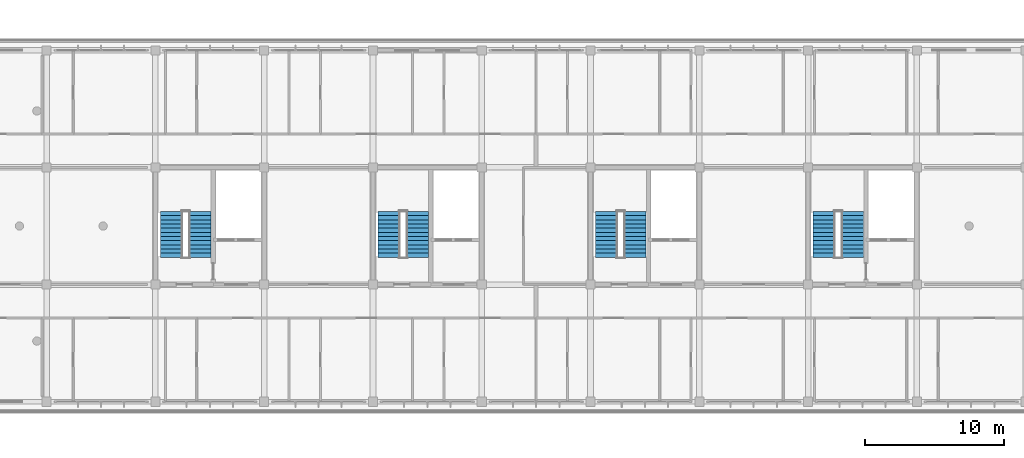
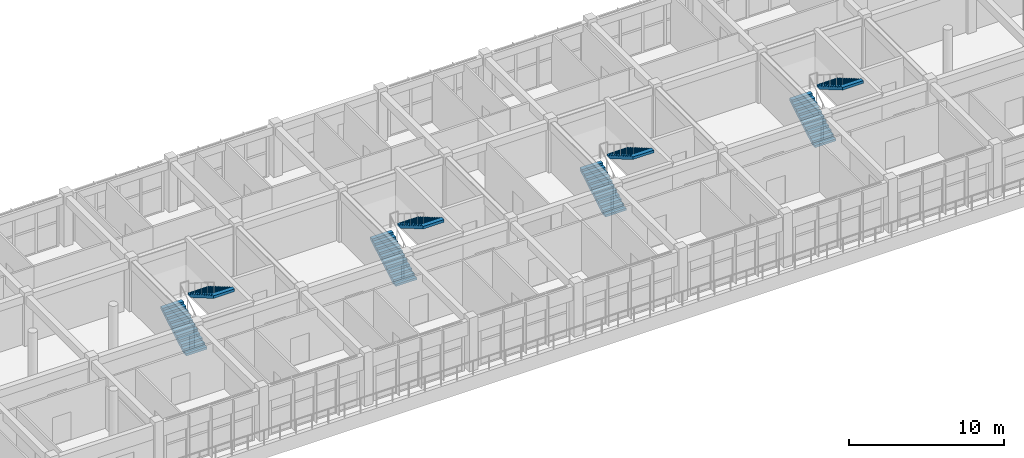
# One storey, part 52 of 57: 8 stair flights, 4 elements without a shape of their own.
"""IFC4 building model written with IfcOpenShell, lengths in metres."""

from ifc_helpers import new_model, si_unit, direction, frame, origin, place, context, subcontext, project, spatial, polyline, outline, extrude, material, type_object, element, aggregate, save


model = new_model("IFC4")

# Units and contexts
model_context = context("Model", 3, precision=1e-05, world=origin(), true_north=direction((0.0, 1.0)))
body_context = subcontext(model_context, "Body", "Model", "MODEL_VIEW")
ifc_project = project(units=[si_unit("LENGTHUNIT", "METRE"), si_unit("AREAUNIT", "SQUARE_METRE"), si_unit("VOLUMEUNIT", "CUBIC_METRE"), si_unit("PLANEANGLEUNIT", "RADIAN"), si_unit("MASSUNIT", "GRAM", prefix="KILO")], contexts=[model_context])

# Site, building, storey
site_placement = place(None, origin())
site = spatial("IfcSite", under=ifc_project, at=site_placement, CompositionType="ELEMENT")
building_placement = place(site_placement, origin())
building = spatial("IfcBuilding", under=site, at=building_placement, Name="Zizhar Promenade General Hospital", CompositionType="ELEMENT")
storey_placement = place(building_placement, frame((0.0, 0.0, 22.199951171875)))
storey = spatial("IfcBuildingStorey", under=building, at=storey_placement, Name="L05", CompositionType="ELEMENT", Elevation=22.199951171875)

# Stair, stair flights
ifc_material_1 = material(Name="Concrete C35/45", Category="concrete")
stair_type = type_object("IfcStairType", Name="STR-DOG-420", PredefinedType="HALF_TURN_STAIR", material=ifc_material_1)
stair_1_placement = place(storey_placement, origin())
stair_1 = element("IfcStair", 1, at=stair_1_placement, inside=storey, type_object=stair_type, Name="Exit Stair ST-02 (L05 to L06)", PredefinedType="HALF_TURN_STAIR")
ifc_material_2 = material(Name="Concrete C35/45", Category="concrete")
stair_flight_type = type_object("IfcStairFlightType", Name="SFL-DOG-420", PredefinedType="STRAIGHT", material=ifc_material_2)
stair_flight_1_placement = place(storey_placement, frame((47.949951171875, 10.35009765625, 0.0), z_axis=(0.0, 0.0, 1.0), x_axis=(0.0, 1.0, 0.0)))
stair_flight_1 = element("IfcStairFlight", 2, at=stair_flight_1_placement, type_object=stair_flight_type, Name="ST-02C flight 1", NumberOfRisers=12, NumberOfTreads=11, PredefinedType="STRAIGHT", RiserHeight=0.175, TreadLength=0.3, context=body_context, shape_type="SweptSolid", body=[
    extrude(outline(polyline([(0.0, 0.0), (0.0, 0.175048828125), (0.300048828125, 0.175048828125), (0.300048828125, 0.35009765625), (0.60009765625, 0.35009765625), (0.60009765625, 0.52490234375), (0.89990234375, 0.52490234375), (0.89990234375, 0.699951171875), (1.199951171875, 0.699951171875), (1.199951171875, 0.875), (1.5, 0.875), (1.5, 1.050048828125), (1.800048828125, 1.050048828125), (1.800048828125, 1.22509765625), (2.10009765625, 1.22509765625), (2.10009765625, 1.39990234375), (2.39990234375, 1.39990234375), (2.39990234375, 1.574951171875), (2.699951171875, 1.574951171875), (2.699951171875, 1.75), (3.0, 1.75), (3.0, 1.925048828125), (3.300048828125, 1.925048828125), (3.300048828125, 2.10009765625), (3.300048828125, 1.716796875), (0.357177734375, 0.0), (0.0, 0.0)])), frame((0.0, 0.780029296875, 0.0), z_axis=(0.0, -1.0, 0.0), x_axis=(1.0, 0.0, 0.0)), (0.0, 0.0, 1.0), 1.56005859375),
])
stair_flight_2_placement = place(storey_placement, frame((49.989990234375, 13.64990234375, 2.10009765625), z_axis=(0.0, 0.0, 1.0), x_axis=(0.0, -1.0, 0.0)))
stair_flight_2 = element("IfcStairFlight", 3, at=stair_flight_2_placement, type_object=stair_flight_type, Name="ST-02C flight 2", NumberOfRisers=12, NumberOfTreads=11, PredefinedType="STRAIGHT", RiserHeight=0.175, TreadLength=0.3, context=body_context, shape_type="SweptSolid", body=[
    extrude(outline(polyline([(0.0, 0.0), (0.0, 0.175048828125), (0.300048828125, 0.175048828125), (0.300048828125, 0.35009765625), (0.60009765625, 0.35009765625), (0.60009765625, 0.52490234375), (0.89990234375, 0.52490234375), (0.89990234375, 0.699951171875), (1.199951171875, 0.699951171875), (1.199951171875, 0.875), (1.5, 0.875), (1.5, 1.050048828125), (1.800048828125, 1.050048828125), (1.800048828125, 1.22509765625), (2.10009765625, 1.22509765625), (2.10009765625, 1.39990234375), (2.39990234375, 1.39990234375), (2.39990234375, 1.574951171875), (2.699951171875, 1.574951171875), (2.699951171875, 1.75), (3.0, 1.75), (3.0, 1.925048828125), (3.300048828125, 1.925048828125), (3.300048828125, 2.10009765625), (3.300048828125, 1.716796875), (0.357177734375, 0.0), (0.0, 0.0)])), frame((0.0, 0.780029296875, 0.0), z_axis=(0.0, -1.0, 0.0), x_axis=(1.0, 0.0, 0.0)), (0.0, 0.0, 1.0), 1.56005859375),
])
aggregate(stair_1, [stair_flight_1, stair_flight_2])

stair_2_placement = place(storey_placement, origin())
stair_2 = element("IfcStair", 4, at=stair_2_placement, inside=storey, type_object=stair_type, Name="Exit Stair ST-03 (L05 to L06)", PredefinedType="HALF_TURN_STAIR")
stair_flight_3_placement = place(storey_placement, frame((63.550048828125, 10.35009765625, 0.0), z_axis=(0.0, 0.0, 1.0), x_axis=(0.0, 1.0, 0.0)))
stair_flight_3 = element("IfcStairFlight", 5, at=stair_flight_3_placement, type_object=stair_flight_type, Name="ST-03C flight 1", NumberOfRisers=12, NumberOfTreads=11, PredefinedType="STRAIGHT", RiserHeight=0.175, TreadLength=0.3, context=body_context, shape_type="SweptSolid", body=[
    extrude(outline(polyline([(0.0, 0.0), (0.0, 0.175048828125), (0.300048828125, 0.175048828125), (0.300048828125, 0.35009765625), (0.60009765625, 0.35009765625), (0.60009765625, 0.52490234375), (0.89990234375, 0.52490234375), (0.89990234375, 0.699951171875), (1.199951171875, 0.699951171875), (1.199951171875, 0.875), (1.5, 0.875), (1.5, 1.050048828125), (1.800048828125, 1.050048828125), (1.800048828125, 1.22509765625), (2.10009765625, 1.22509765625), (2.10009765625, 1.39990234375), (2.39990234375, 1.39990234375), (2.39990234375, 1.574951171875), (2.699951171875, 1.574951171875), (2.699951171875, 1.75), (3.0, 1.75), (3.0, 1.925048828125), (3.300048828125, 1.925048828125), (3.300048828125, 2.10009765625), (3.300048828125, 1.716796875), (0.357177734375, 0.0), (0.0, 0.0)])), frame((0.0, 0.780029296875, 0.0), z_axis=(0.0, -1.0, 0.0), x_axis=(1.0, 0.0, 0.0)), (0.0, 0.0, 1.0), 1.56005859375),
])
stair_flight_4_placement = place(storey_placement, frame((65.590087890625, 13.64990234375, 2.10009765625), z_axis=(0.0, 0.0, 1.0), x_axis=(0.0, -1.0, 0.0)))
stair_flight_4 = element("IfcStairFlight", 6, at=stair_flight_4_placement, type_object=stair_flight_type, Name="ST-03C flight 2", NumberOfRisers=12, NumberOfTreads=11, PredefinedType="STRAIGHT", RiserHeight=0.175, TreadLength=0.3, context=body_context, shape_type="SweptSolid", body=[
    extrude(outline(polyline([(0.0, 0.0), (0.0, 0.175048828125), (0.300048828125, 0.175048828125), (0.300048828125, 0.35009765625), (0.60009765625, 0.35009765625), (0.60009765625, 0.52490234375), (0.89990234375, 0.52490234375), (0.89990234375, 0.699951171875), (1.199951171875, 0.699951171875), (1.199951171875, 0.875), (1.5, 0.875), (1.5, 1.050048828125), (1.800048828125, 1.050048828125), (1.800048828125, 1.22509765625), (2.10009765625, 1.22509765625), (2.10009765625, 1.39990234375), (2.39990234375, 1.39990234375), (2.39990234375, 1.574951171875), (2.699951171875, 1.574951171875), (2.699951171875, 1.75), (3.0, 1.75), (3.0, 1.925048828125), (3.300048828125, 1.925048828125), (3.300048828125, 2.10009765625), (3.300048828125, 1.716796875), (0.357177734375, 0.0), (0.0, 0.0)])), frame((0.0, 0.780029296875, 0.0), z_axis=(0.0, -1.0, 0.0), x_axis=(1.0, 0.0, 0.0)), (0.0, 0.0, 1.0), 1.56005859375),
])
aggregate(stair_2, [stair_flight_3, stair_flight_4])

stair_3_placement = place(storey_placement, origin())
stair_3 = element("IfcStair", 7, at=stair_3_placement, inside=storey, type_object=stair_type, Name="Exit Stair ST-04 (L05 to L06)", PredefinedType="HALF_TURN_STAIR")
stair_flight_5_placement = place(storey_placement, frame((79.14990234375, 10.35009765625, 0.0), z_axis=(0.0, 0.0, 1.0), x_axis=(0.0, 1.0, 0.0)))
stair_flight_5 = element("IfcStairFlight", 8, at=stair_flight_5_placement, type_object=stair_flight_type, Name="ST-04C flight 1", NumberOfRisers=12, NumberOfTreads=11, PredefinedType="STRAIGHT", RiserHeight=0.175, TreadLength=0.3, context=body_context, shape_type="SweptSolid", body=[
    extrude(outline(polyline([(0.0, 0.0), (0.0, 0.175048828125), (0.300048828125, 0.175048828125), (0.300048828125, 0.35009765625), (0.60009765625, 0.35009765625), (0.60009765625, 0.52490234375), (0.89990234375, 0.52490234375), (0.89990234375, 0.699951171875), (1.199951171875, 0.699951171875), (1.199951171875, 0.875), (1.5, 0.875), (1.5, 1.050048828125), (1.800048828125, 1.050048828125), (1.800048828125, 1.22509765625), (2.10009765625, 1.22509765625), (2.10009765625, 1.39990234375), (2.39990234375, 1.39990234375), (2.39990234375, 1.574951171875), (2.699951171875, 1.574951171875), (2.699951171875, 1.75), (3.0, 1.75), (3.0, 1.925048828125), (3.300048828125, 1.925048828125), (3.300048828125, 2.10009765625), (3.300048828125, 1.716796875), (0.357177734375, 0.0), (0.0, 0.0)])), frame((0.0, 0.780029296875, 0.0), z_axis=(0.0, -1.0, 0.0), x_axis=(1.0, 0.0, 0.0)), (0.0, 0.0, 1.0), 1.56005859375),
])
stair_flight_6_placement = place(storey_placement, frame((81.18994140625, 13.64990234375, 2.10009765625), z_axis=(0.0, 0.0, 1.0), x_axis=(0.0, -1.0, 0.0)))
stair_flight_6 = element("IfcStairFlight", 9, at=stair_flight_6_placement, type_object=stair_flight_type, Name="ST-04C flight 2", NumberOfRisers=12, NumberOfTreads=11, PredefinedType="STRAIGHT", RiserHeight=0.175, TreadLength=0.3, context=body_context, shape_type="SweptSolid", body=[
    extrude(outline(polyline([(0.0, 0.0), (0.0, 0.175048828125), (0.300048828125, 0.175048828125), (0.300048828125, 0.35009765625), (0.60009765625, 0.35009765625), (0.60009765625, 0.52490234375), (0.89990234375, 0.52490234375), (0.89990234375, 0.699951171875), (1.199951171875, 0.699951171875), (1.199951171875, 0.875), (1.5, 0.875), (1.5, 1.050048828125), (1.800048828125, 1.050048828125), (1.800048828125, 1.22509765625), (2.10009765625, 1.22509765625), (2.10009765625, 1.39990234375), (2.39990234375, 1.39990234375), (2.39990234375, 1.574951171875), (2.699951171875, 1.574951171875), (2.699951171875, 1.75), (3.0, 1.75), (3.0, 1.925048828125), (3.300048828125, 1.925048828125), (3.300048828125, 2.10009765625), (3.300048828125, 1.716796875), (0.357177734375, 0.0), (0.0, 0.0)])), frame((0.0, 0.780029296875, 0.0), z_axis=(0.0, -1.0, 0.0), x_axis=(1.0, 0.0, 0.0)), (0.0, 0.0, 1.0), 1.56005859375),
])
aggregate(stair_3, [stair_flight_5, stair_flight_6])

stair_4_placement = place(storey_placement, origin())
stair_4 = element("IfcStair", 10, at=stair_4_placement, inside=storey, type_object=stair_type, Name="Exit Stair ST-05 (L05 to L06)", PredefinedType="HALF_TURN_STAIR")
stair_flight_7_placement = place(storey_placement, frame((94.75, 10.35009765625, 0.0), z_axis=(0.0, 0.0, 1.0), x_axis=(0.0, 1.0, 0.0)))
stair_flight_7 = element("IfcStairFlight", 11, at=stair_flight_7_placement, type_object=stair_flight_type, Name="ST-05C flight 1", NumberOfRisers=12, NumberOfTreads=11, PredefinedType="STRAIGHT", RiserHeight=0.175, TreadLength=0.3, context=body_context, shape_type="SweptSolid", body=[
    extrude(outline(polyline([(0.0, 0.0), (0.0, 0.175048828125), (0.300048828125, 0.175048828125), (0.300048828125, 0.35009765625), (0.60009765625, 0.35009765625), (0.60009765625, 0.52490234375), (0.89990234375, 0.52490234375), (0.89990234375, 0.699951171875), (1.199951171875, 0.699951171875), (1.199951171875, 0.875), (1.5, 0.875), (1.5, 1.050048828125), (1.800048828125, 1.050048828125), (1.800048828125, 1.22509765625), (2.10009765625, 1.22509765625), (2.10009765625, 1.39990234375), (2.39990234375, 1.39990234375), (2.39990234375, 1.574951171875), (2.699951171875, 1.574951171875), (2.699951171875, 1.75), (3.0, 1.75), (3.0, 1.925048828125), (3.300048828125, 1.925048828125), (3.300048828125, 2.10009765625), (3.300048828125, 1.716796875), (0.357177734375, 0.0), (0.0, 0.0)])), frame((0.0, 0.780029296875, 0.0), z_axis=(0.0, -1.0, 0.0), x_axis=(1.0, 0.0, 0.0)), (0.0, 0.0, 1.0), 1.56005859375),
])
stair_flight_8_placement = place(storey_placement, frame((96.7900390625, 13.64990234375, 2.10009765625), z_axis=(0.0, 0.0, 1.0), x_axis=(0.0, -1.0, 0.0)))
stair_flight_8 = element("IfcStairFlight", 12, at=stair_flight_8_placement, type_object=stair_flight_type, Name="ST-05C flight 2", NumberOfRisers=12, NumberOfTreads=11, PredefinedType="STRAIGHT", RiserHeight=0.175, TreadLength=0.3, context=body_context, shape_type="SweptSolid", body=[
    extrude(outline(polyline([(0.0, 0.0), (0.0, 0.175048828125), (0.300048828125, 0.175048828125), (0.300048828125, 0.35009765625), (0.60009765625, 0.35009765625), (0.60009765625, 0.52490234375), (0.89990234375, 0.52490234375), (0.89990234375, 0.699951171875), (1.199951171875, 0.699951171875), (1.199951171875, 0.875), (1.5, 0.875), (1.5, 1.050048828125), (1.800048828125, 1.050048828125), (1.800048828125, 1.22509765625), (2.10009765625, 1.22509765625), (2.10009765625, 1.39990234375), (2.39990234375, 1.39990234375), (2.39990234375, 1.574951171875), (2.699951171875, 1.574951171875), (2.699951171875, 1.75), (3.0, 1.75), (3.0, 1.925048828125), (3.300048828125, 1.925048828125), (3.300048828125, 2.10009765625), (3.300048828125, 1.716796875), (0.357177734375, 0.0), (0.0, 0.0)])), frame((0.0, 0.780029296875, 0.0), z_axis=(0.0, -1.0, 0.0), x_axis=(1.0, 0.0, 0.0)), (0.0, 0.0, 1.0), 1.56005859375),
])
aggregate(stair_4, [stair_flight_7, stair_flight_8])

save(model, "model.ifc")
